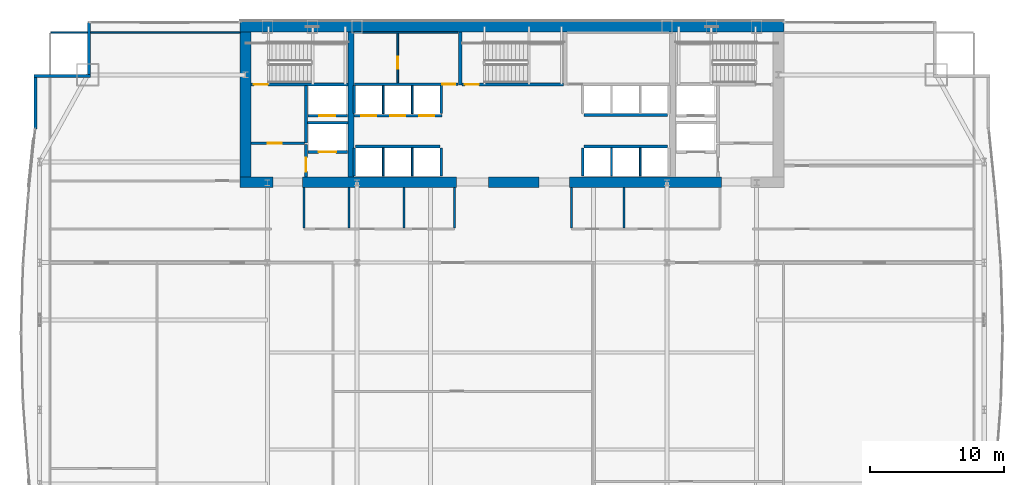
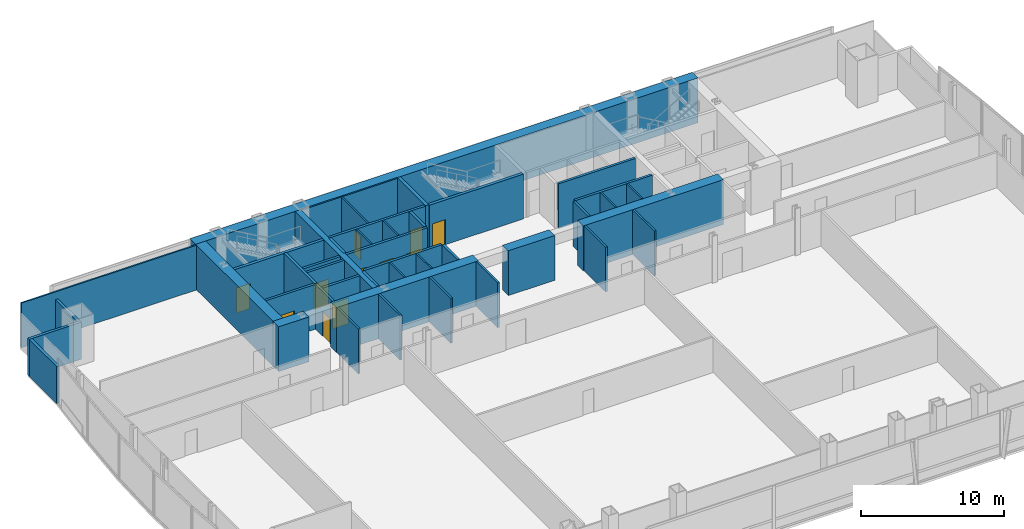
# One storey, part 30 of 33: 44 walls, 11 doors, 11 openings.
"""IFC4 building model written with IfcOpenShell, lengths in metres."""

from ifc_helpers import new_model, si_unit, direction, frame, frame_2d, origin, place, context, subcontext, project, spatial, rectangle, extrude, material, layer, layer_set, type_object, element, fill, save


model = new_model("IFC4")

# Units and contexts
model_context = context("Model", 3, precision=1e-05, world=origin(), true_north=direction((0.0, 1.0)))
body_context = subcontext(model_context, "Body", "Model", "MODEL_VIEW")
ifc_project = project(units=[si_unit("LENGTHUNIT", "METRE"), si_unit("AREAUNIT", "SQUARE_METRE"), si_unit("VOLUMEUNIT", "CUBIC_METRE"), si_unit("PLANEANGLEUNIT", "RADIAN"), si_unit("MASSUNIT", "GRAM", prefix="KILO")], contexts=[model_context])

# Site, building, storey
site_placement = place(None, origin())
site = spatial("IfcSite", under=ifc_project, at=site_placement, CompositionType="ELEMENT")
building_placement = place(site_placement, origin())
building = spatial("IfcBuilding", under=site, at=building_placement, Name="Khoronbel Lancet Exchange", CompositionType="ELEMENT")
storey_placement = place(building_placement, frame((0.0, 0.0, 33.800048828125)))
storey = spatial("IfcBuildingStorey", under=building, at=storey_placement, Name="L07", CompositionType="ELEMENT", Elevation=33.800048828125)

# Walls
ifc_material_1 = material(Name="Concrete C80/95", Category="concrete")
ifc_layer_1 = layer(ifc_material_1, 0.800048828125, Name="Concrete C80/95")
ifc_layer_set_1 = layer_set([ifc_layer_1], Name="Concrete C80/95")
wall_type_1 = type_object("IfcWallType", Name="WL-CW1", PredefinedType="SHEAR", material=ifc_layer_set_1)
wall_1_placement = place(storey_placement, frame((16.199951171875, 53.300048828125, 0.0), z_axis=(0.0, 0.0, 1.0), x_axis=(1.0, 0.0, 0.0)))
element("IfcWall", 1, at=wall_1_placement, inside=storey, type_object=wall_type_1, Name="Level L07 rear core north shear wall", PredefinedType="SHEAR", context=body_context, shape_type="SweptSolid", body=[
    extrude(rectangle(XDim=40.5, YDim=0.800048828125, at=frame_2d((20.25, 0.0))), origin(), (0.0, 0.0, 1.0), 3.820068359375),
])
wall_2_placement = place(storey_placement, frame((16.60009765625, 42.10009765625, 0.0), z_axis=(0.0, 0.0, 1.0), x_axis=(0.0, 1.0, 0.0)))
element("IfcWall", 2, at=wall_2_placement, inside=storey, type_object=wall_type_1, Name="Level L07 rear core west shear wall", PredefinedType="SHEAR", context=body_context, shape_type="SweptSolid", body=[
    extrude(rectangle(XDim=10.7998046875, YDim=0.800048828125, at=frame_2d((5.39990234375, 0.0))), origin(), (0.0, 0.0, 1.0), 3.820068359375),
])
wall_3_placement = place(storey_placement, frame((18.64990234375, 41.699951171875, 0.0), z_axis=(0.0, 0.0, 1.0), x_axis=(-1.0, 0.0, 0.0)))
element("IfcWall", 3, at=wall_3_placement, inside=storey, type_object=wall_type_1, Name="Level L07 rear core south shear wall pier P1", PredefinedType="SHEAR", context=body_context, shape_type="SweptSolid", body=[
    extrude(rectangle(XDim=2.449951171875, YDim=0.800048828125, at=frame_2d((1.22509765625, 0.0))), origin(), (0.0, 0.0, 1.0), 3.820068359375),
])
wall_4_placement = place(storey_placement, frame((32.300048828125, 41.699951171875, 0.0), z_axis=(0.0, 0.0, 1.0), x_axis=(-1.0, 0.0, 0.0)))
element("IfcWall", 4, at=wall_4_placement, inside=storey, type_object=wall_type_1, Name="Level L07 rear core south shear wall pier P2", PredefinedType="SHEAR", context=body_context, shape_type="SweptSolid", body=[
    extrude(rectangle(XDim=11.449951171875, YDim=0.800048828125, at=frame_2d((5.72509765625, 0.0))), origin(), (0.0, 0.0, 1.0), 3.820068359375),
])
wall_5_placement = place(storey_placement, frame((38.449951171875, 41.699951171875, 0.0), z_axis=(0.0, 0.0, 1.0), x_axis=(-1.0, 0.0, 0.0)))
element("IfcWall", 5, at=wall_5_placement, inside=storey, type_object=wall_type_1, Name="Level L07 rear core south shear wall pier P3", PredefinedType="SHEAR", context=body_context, shape_type="SweptSolid", body=[
    extrude(rectangle(XDim=3.75, YDim=0.800048828125, at=frame_2d((1.875, 0.0))), origin(), (0.0, 0.0, 1.0), 3.820068359375),
])
wall_6_placement = place(storey_placement, frame((52.050048828125, 41.699951171875, 0.0), z_axis=(0.0, 0.0, 1.0), x_axis=(-1.0, 0.0, 0.0)))
element("IfcWall", 6, at=wall_6_placement, inside=storey, type_object=wall_type_1, Name="Level L07 rear core south shear wall pier P4", PredefinedType="SHEAR", context=body_context, shape_type="SweptSolid", body=[
    extrude(rectangle(XDim=11.300048828125, YDim=0.800048828125, at=frame_2d((5.64990234375, 0.0))), origin(), (0.0, 0.0, 1.0), 3.820068359375),
])
ifc_material_2 = material(Name="Precast concrete C40/50", Category="concrete")
ifc_layer_2 = layer(ifc_material_2, 0.25, Name="Precast concrete C40/50")
ifc_layer_set_2 = layer_set([ifc_layer_2], Name="Precast concrete C40/50")
wall_type_2 = type_object("IfcWallType", Name="WL-EXT250", PredefinedType="SOLIDWALL", material=ifc_layer_set_2)
wall_7_placement = place(storey_placement, frame((0.93994140625, 45.67529296875, 0.0), z_axis=(0.0, 0.0, 1.0), x_axis=(0.0, 1.0, 0.0)))
element("IfcWall", 7, at=wall_7_placement, inside=storey, type_object=wall_type_2, Name="Level L07 notched-corner limestone pier 10", PredefinedType="SOLIDWALL", context=body_context, shape_type="SweptSolid", body=[
    extrude(rectangle(XDim=3.82470703125, YDim=0.219970703125, at=frame_2d((1.912353515625, 0.0))), origin(), (0.0, 0.0, 1.0), 3.159912109375),
])
wall_8_placement = place(storey_placement, frame((0.830078125, 49.610107421875, 0.0), z_axis=(0.0, 0.0, 1.0), x_axis=(1.0, 0.0, 0.0)))
element("IfcWall", 8, at=wall_8_placement, inside=storey, type_object=wall_type_2, Name="Level L07 notched-corner limestone pier 11", PredefinedType="SOLIDWALL", context=body_context, shape_type="SweptSolid", body=[
    extrude(rectangle(XDim=4.219970703125, YDim=0.219970703125, at=frame_2d((2.10986328125, 0.0))), origin(), (0.0, 0.0, 1.0), 3.159912109375),
])
wall_9_placement = place(storey_placement, frame((4.93994140625, 49.719970703125, 0.0), z_axis=(0.0, 0.0, 1.0), x_axis=(0.0, 1.0, 0.0)))
element("IfcWall", 9, at=wall_9_placement, inside=storey, type_object=wall_type_2, Name="Level L07 notched-corner limestone pier 12", PredefinedType="SOLIDWALL", context=body_context, shape_type="SweptSolid", body=[
    extrude(rectangle(XDim=3.909912109375, YDim=0.219970703125, at=frame_2d((1.955078125, 0.0))), origin(), (0.0, 0.0, 1.0), 3.159912109375),
])
ifc_material_3 = material(Name="Acoustic Metal-Stud & Mineral-Wool Gypsum Partition 120 mm", Category="gypsum")
ifc_layer_3 = layer(ifc_material_3, 0.1201171875, Name="Acoustic Metal-Stud & Mineral-Wool Gypsum Partition 120 mm")
ifc_layer_set_3 = layer_set([ifc_layer_3], Name="Acoustic Metal-Stud & Mineral-Wool Gypsum Partition 120 mm")
wall_type_3 = type_object("IfcWallType", Name="WL-PRT120", PredefinedType="PARTITIONING", material=ifc_layer_set_3)
for number, where, z_axis, x_axis, name in (
    (10, (20.949951171875, 38.280029296875, 0.0), (0.0, 0.0, 1.0), (0.0, 1.0, 0.0), "Level L07 interior partition PW-WC-0"),
    (11, (24.300048828125, 38.280029296875, 0.0), (0.0, 0.0, 1.0), (0.0, 1.0, 0.0), "Level L07 interior partition PW-WC-1"),
    (12, (28.39990234375, 38.280029296875, 0.0), (0.0, 0.0, 1.0), (0.0, 1.0, 0.0), "Level L07 interior partition PW-WC-2"),
    (13, (32.179931640625, 38.280029296875, 0.0), (0.0, 0.0, 1.0), (0.0, 1.0, 0.0), "Level L07 interior partition PW-WC-3"),
    (14, (40.8798828125, 38.280029296875, 0.0), (0.0, 0.0, 1.0), (0.0, 1.0, 0.0), "Level L07 interior partition PW-NP-0"),
    (15, (44.800048828125, 38.280029296875, 0.0), (0.0, 0.0, 1.0), (0.0, 1.0, 0.0), "Level L07 interior partition PW-NP-M"),
):
    element("IfcWall", number, at=place(storey_placement, frame(where, z_axis=z_axis, x_axis=x_axis)), inside=storey, type_object=wall_type_3, Name=name, PredefinedType="PARTITIONING", context=body_context, shape_type="SweptSolid", body=[
        extrude(rectangle(XDim=3.02001953125, YDim=0.14990234375, at=frame_2d((1.510009765625, 0.0))), origin(), (0.0, 0.0, 1.0), 3.820068359375),
    ])
wall_10_placement = place(storey_placement, frame((2.094970703125, 52.840087890625, 0.0), z_axis=(0.0, 0.0, 1.0), x_axis=(1.0, 0.0, 0.0)))
element("IfcWall", 16, at=wall_10_placement, inside=storey, type_object=wall_type_3, Name="Level L07 interior partition PW-LIN-NW", PredefinedType="PARTITIONING", context=body_context, shape_type="SweptSolid", body=[
    extrude(rectangle(XDim=14.10498046875, YDim=0.1201171875, at=frame_2d((7.052490234375, 0.0))), origin(), (0.0, 0.0, 1.0), 3.820068359375),
])
ifc_material_4 = material(Name="Fire-Rated Metal-Stud & Mineral-Wool Gypsum Partition 120 mm", Category="gypsum")
ifc_layer_4 = layer(ifc_material_4, 0.1201171875, Name="Fire-Rated Metal-Stud & Mineral-Wool Gypsum Partition 120 mm")
ifc_layer_set_4 = layer_set([ifc_layer_4], Name="Fire-Rated Metal-Stud & Mineral-Wool Gypsum Partition 120 mm")
wall_type_4 = type_object("IfcWallType", Name="WL-PRT120F", PredefinedType="PARTITIONING", material=ifc_layer_set_4)
for number, where, z_axis, x_axis, name in (
    (17, (26.860107421875, 46.800048828125, 0.0), (0.0, 0.0, 1.0), (0.0, 1.0, 0.0), "Level L07 interior partition CW-PL-D1"),
    (18, (29.02001953125, 46.800048828125, 0.0), (0.0, 0.0, 1.0), (0.0, 1.0, 0.0), "Level L07 interior partition CW-PL-D2"),
):
    element("IfcWall", number, at=place(storey_placement, frame(where, z_axis=z_axis, x_axis=x_axis)), inside=storey, type_object=wall_type_4, Name=name, PredefinedType="PARTITIONING", context=body_context, shape_type="SweptSolid", body=[
        extrude(rectangle(XDim=2.094970703125, YDim=0.1201171875, at=frame_2d((1.04736328125, 0.0))), origin(), (0.0, 0.0, 1.0), 3.820068359375),
    ])
for number, where, z_axis, x_axis, name in (
    (19, (26.860107421875, 42.14990234375, 0.0), (0.0, 0.0, 1.0), (0.0, 1.0, 0.0), "Level L07 interior partition CW-PM-D1"),
    (20, (29.02001953125, 42.14990234375, 0.0), (0.0, 0.0, 1.0), (0.0, 1.0, 0.0), "Level L07 interior partition CW-PM-D2"),
    (21, (43.860107421875, 42.14990234375, 0.0), (0.0, 0.0, 1.0), (0.0, 1.0, 0.0), "Level L07 interior partition CW-PX-D1"),
    (22, (46.0, 42.14990234375, 0.0), (0.0, 0.0, 1.0), (0.0, 1.0, 0.0), "Level L07 interior partition CW-PX-D2"),
):
    element("IfcWall", number, at=place(storey_placement, frame(where, z_axis=z_axis, x_axis=x_axis)), inside=storey, type_object=wall_type_4, Name=name, PredefinedType="PARTITIONING", context=body_context, shape_type="SweptSolid", body=[
        extrude(rectangle(XDim=2.09521484375, YDim=0.1201171875, at=frame_2d((1.047607421875, 0.0))), origin(), (0.0, 0.0, 1.0), 3.820068359375),
    ])
wall_11_placement = place(storey_placement, frame((24.699951171875, 52.860107421875, 0.0), z_axis=(0.0, 0.0, 1.0), x_axis=(1.0, 0.0, 0.0)))
element("IfcWall", 23, at=wall_11_placement, inside=storey, type_object=wall_type_4, Name="Level L07 interior partition CW-SUP-NW-N", PredefinedType="PARTITIONING", context=body_context, shape_type="SweptSolid", body=[
    extrude(rectangle(XDim=7.719970703125, YDim=0.1201171875, at=frame_2d((3.85986328125, 0.0))), origin(), (0.0, 0.0, 1.0), 3.820068359375),
])

# Wall, opening, door
wall_12_placement = place(storey_placement, frame((27.9423828125, 49.10498046875, 0.0), z_axis=(0.0, 0.0, 1.0), x_axis=(0.0, 1.0, 0.0)))
wall_12 = element("IfcWall", 24, at=wall_12_placement, inside=storey, type_object=wall_type_4, Name="Level L07 interior partition CW-SUP-NW-M", PredefinedType="PARTITIONING", context=body_context, shape_type="SweptSolid", body=[
    extrude(rectangle(XDim=3.68994140625, YDim=0.1201171875, at=frame_2d((1.844970703125, 0.0))), origin(), (0.0, 0.0, 1.0), 3.820068359375),
])
opening_1_placement = place(wall_12_placement, frame((1.050048828125, 0.0, 0.0)))
opening_1 = element("IfcOpeningElement", 25, at=opening_1_placement, cuts=wall_12, Name="Opening FD4", PredefinedType="OPENING", context=body_context, shape_type="SweptSolid", body=[
    extrude(rectangle(XDim=0.89990234375, YDim=2.050048828125, at=frame_2d((0.449951171875, 1.02490234375))), frame((0.0, 0.070068359375, 0.0), z_axis=(0.0, -1.0, 0.0), x_axis=(1.0, 0.0, 0.0)), (0.0, 0.0, 1.0), 0.14013671875),
])
ifc_material_5 = material(Name="Fire-Rated Steel Core Support Door Assembly", Category="steel")
door_type_1 = type_object("IfcDoorType", Name="DR-FD4", OperationType="NOTDEFINED", PredefinedType="DOOR", material=ifc_material_5)
door_1_placement = place(opening_1_placement, origin())
door_1 = element("IfcDoor", 26, at=door_1_placement, inside=storey, type_object=door_type_1, Name="Core NW inner support door L07-1", OperationType="SINGLE_SWING_LEFT", OverallHeight=2.050048828125, OverallWidth=0.89990234375, PredefinedType="DOOR", context=body_context, shape_type="SweptSolid", body=[
    extrude(rectangle(XDim=0.89990234375, YDim=2.050048828125, at=frame_2d((0.449951171875, 1.02490234375))), frame((0.0, 0.02490234375, 0.0), z_axis=(0.0, -1.0, 0.0), x_axis=(1.0, 0.0, 0.0)), (0.0, 0.0, 1.0), 0.050048828125),
])
fill(opening_1, door_1)

ifc_material_6 = material(Name="Autoclaved Aerated Concrete Blockwork 200 mm", Category="masonry")
ifc_layer_5 = layer(ifc_material_6, 0.199951171875, Name="Autoclaved Aerated Concrete Blockwork 200 mm")
ifc_layer_set_5 = layer_set([ifc_layer_5], Name="Autoclaved Aerated Concrete Blockwork 200 mm")
wall_type_5 = type_object("IfcWallType", Name="WL-PRT200", PredefinedType="PARTITIONING", material=ifc_layer_set_5)
wall_13_placement = place(storey_placement, frame((24.2099609375, 43.949951171875, 0.0), z_axis=(0.0, 0.0, 1.0), x_axis=(-1.0, 0.0, 0.0)))
wall_13 = element("IfcWall", 27, at=wall_13_placement, inside=storey, type_object=wall_type_5, Name="Level L07 elevator hoistway landing front wall SVLW", PredefinedType="PARTITIONING", context=body_context, shape_type="SweptSolid", body=[
    extrude(rectangle(XDim=2.969970703125, YDim=0.199951171875, at=frame_2d((1.48486328125, 0.0))), origin(), (0.0, 0.0, 1.0), 3.820068359375),
])
opening_2_placement = place(wall_13_placement, frame((0.860107421875, 0.0, 0.0)))
opening_2 = element("IfcOpeningElement", 28, at=opening_2_placement, cuts=wall_13, Name="Opening LD-SVL1", PredefinedType="OPENING", context=body_context, shape_type="SweptSolid", body=[
    extrude(rectangle(XDim=1.300048828125, YDim=2.179931640625, at=frame_2d((0.64990234375, 1.08984375))), frame((0.0, 0.10986328125, 0.0), z_axis=(0.0, -1.0, 0.0), x_axis=(1.0, 0.0, 0.0)), (0.0, 0.0, 1.0), 0.219970703125),
])
ifc_material_7 = material(Name="Heavy-Duty Bi-Parting Goods Lift Landing Door", Category="steel")
door_type_2 = type_object("IfcDoorType", Name="DR-LD-SVL", OperationType="NOTDEFINED", PredefinedType="DOOR", material=ifc_material_7)
door_2_placement = place(opening_2_placement, origin())
door_2 = element("IfcDoor", 29, at=door_2_placement, inside=storey, type_object=door_type_2, Name="Elevator landing sliding door LD-SVL1 L07", OperationType="SLIDING_TO_LEFT", OverallHeight=2.179931640625, OverallWidth=1.300048828125, PredefinedType="DOOR", context=body_context, shape_type="SweptSolid", body=[
    extrude(rectangle(XDim=1.300048828125, YDim=2.179931640625, at=frame_2d((0.64990234375, 1.08984375))), frame((0.0, 0.02490234375, 0.0), z_axis=(0.0, -1.0, 0.0), x_axis=(1.0, 0.0, 0.0)), (0.0, 0.0, 1.0), 0.050048828125),
])
fill(opening_2, door_2)

wall_14_placement = place(storey_placement, frame((24.2099609375, 46.64990234375, 0.0), z_axis=(0.0, 0.0, 1.0), x_axis=(-1.0, 0.0, 0.0)))
wall_14 = element("IfcWall", 30, at=wall_14_placement, inside=storey, type_object=wall_type_5, Name="Level L07 elevator hoistway landing front wall FFLW", PredefinedType="PARTITIONING", context=body_context, shape_type="SweptSolid", body=[
    extrude(rectangle(XDim=2.969970703125, YDim=0.199951171875, at=frame_2d((1.48486328125, 0.0))), origin(), (0.0, 0.0, 1.0), 3.820068359375),
])
opening_3_placement = place(wall_14_placement, frame((0.909912109375, 0.0, 0.0)))
opening_3 = element("IfcOpeningElement", 31, at=opening_3_placement, cuts=wall_14, Name="Opening LD-FFL1", PredefinedType="OPENING", context=body_context, shape_type="SweptSolid", body=[
    extrude(rectangle(XDim=1.199951171875, YDim=2.179931640625, at=frame_2d((0.60009765625, 1.08984375))), frame((0.0, 0.10986328125, 0.0), z_axis=(0.0, -1.0, 0.0), x_axis=(1.0, 0.0, 0.0)), (0.0, 0.0, 1.0), 0.219970703125),
])
ifc_material_8 = material(Name="Fire-Rated Stainless Bi-Parting Firefighting Lift Door", Category="steel")
door_type_3 = type_object("IfcDoorType", Name="DR-LD-FFL", OperationType="NOTDEFINED", PredefinedType="DOOR", material=ifc_material_8)
door_3_placement = place(opening_3_placement, origin())
door_3 = element("IfcDoor", 32, at=door_3_placement, inside=storey, type_object=door_type_3, Name="Elevator landing sliding door LD-FFL1 L07", OperationType="SLIDING_TO_LEFT", OverallHeight=2.179931640625, OverallWidth=1.199951171875, PredefinedType="DOOR", context=body_context, shape_type="SweptSolid", body=[
    extrude(rectangle(XDim=1.199951171875, YDim=2.179931640625, at=frame_2d((0.60009765625, 1.08984375))), frame((0.0, 0.02490234375, 0.0), z_axis=(0.0, -1.0, 0.0), x_axis=(1.0, 0.0, 0.0)), (0.0, 0.0, 1.0), 0.050048828125),
])
fill(opening_3, door_3)

# Wall, openings, doors
wall_15_placement = place(storey_placement, frame((31.219970703125, 46.64990234375, 0.0), z_axis=(0.0, 0.0, 1.0), x_axis=(-1.0, 0.0, 0.0)))
wall_15 = element("IfcWall", 33, at=wall_15_placement, inside=storey, type_object=wall_type_5, Name="Level L07 elevator hoistway landing front wall PLW", PredefinedType="PARTITIONING", context=body_context, shape_type="SweptSolid", body=[
    extrude(rectangle(XDim=6.530029296875, YDim=0.199951171875, at=frame_2d((3.26513671875, 0.0))), origin(), (0.0, 0.0, 1.0), 3.820068359375),
])
opening_4_placement = place(wall_15_placement, frame((4.89990234375, 0.0, 0.0)))
opening_4 = element("IfcOpeningElement", 34, at=opening_4_placement, cuts=wall_15, Name="Opening LD-PL1", PredefinedType="OPENING", context=body_context, shape_type="SweptSolid", body=[
    extrude(rectangle(XDim=1.10009765625, YDim=2.179931640625, at=frame_2d((0.550048828125, 1.08984375))), frame((0.0, 0.10986328125, 0.0), z_axis=(0.0, -1.0, 0.0), x_axis=(1.0, 0.0, 0.0)), (0.0, 0.0, 1.0), 0.219970703125),
])
opening_5_placement = place(wall_15_placement, frame((2.739990234375, 0.0, 0.0)))
opening_5 = element("IfcOpeningElement", 35, at=opening_5_placement, cuts=wall_15, Name="Opening LD-PL2", PredefinedType="OPENING", context=body_context, shape_type="SweptSolid", body=[
    extrude(rectangle(XDim=1.10009765625, YDim=2.179931640625, at=frame_2d((0.550048828125, 1.08984375))), frame((0.0, 0.10986328125, 0.0), z_axis=(0.0, -1.0, 0.0), x_axis=(1.0, 0.0, 0.0)), (0.0, 0.0, 1.0), 0.219970703125),
])
opening_6_placement = place(wall_15_placement, frame((0.580078125, 0.0, 0.0)))
opening_6 = element("IfcOpeningElement", 36, at=opening_6_placement, cuts=wall_15, Name="Opening LD-PL3", PredefinedType="OPENING", context=body_context, shape_type="SweptSolid", body=[
    extrude(rectangle(XDim=1.10009765625, YDim=2.179931640625, at=frame_2d((0.550048828125, 1.08984375))), frame((0.0, 0.10986328125, 0.0), z_axis=(0.0, -1.0, 0.0), x_axis=(1.0, 0.0, 0.0)), (0.0, 0.0, 1.0), 0.219970703125),
])
ifc_material_9 = material(Name="Brushed Bronze Bi-Parting Elevator Landing Door", Category="steel")
door_type_4 = type_object("IfcDoorType", Name="DR-LD-PAX", OperationType="NOTDEFINED", PredefinedType="DOOR", material=ifc_material_9)
door_4_placement = place(opening_4_placement, origin())
door_4 = element("IfcDoor", 37, at=door_4_placement, inside=storey, type_object=door_type_4, Name="Elevator landing sliding door LD-PL1 L07", OperationType="SLIDING_TO_LEFT", OverallHeight=2.179931640625, OverallWidth=1.10009765625, PredefinedType="DOOR", context=body_context, shape_type="SweptSolid", body=[
    extrude(rectangle(XDim=1.10009765625, YDim=2.179931640625, at=frame_2d((0.550048828125, 1.08984375))), frame((0.0, 0.02490234375, 0.0), z_axis=(0.0, -1.0, 0.0), x_axis=(1.0, 0.0, 0.0)), (0.0, 0.0, 1.0), 0.050048828125),
])
fill(opening_4, door_4)
door_5_placement = place(opening_5_placement, origin())
door_5 = element("IfcDoor", 38, at=door_5_placement, inside=storey, type_object=door_type_4, Name="Elevator landing sliding door LD-PL2 L07", OperationType="SLIDING_TO_LEFT", OverallHeight=2.179931640625, OverallWidth=1.10009765625, PredefinedType="DOOR", context=body_context, shape_type="SweptSolid", body=[
    extrude(rectangle(XDim=1.10009765625, YDim=2.179931640625, at=frame_2d((0.550048828125, 1.08984375))), frame((0.0, 0.02490234375, 0.0), z_axis=(0.0, -1.0, 0.0), x_axis=(1.0, 0.0, 0.0)), (0.0, 0.0, 1.0), 0.050048828125),
])
fill(opening_5, door_5)
door_6_placement = place(opening_6_placement, origin())
door_6 = element("IfcDoor", 39, at=door_6_placement, inside=storey, type_object=door_type_4, Name="Elevator landing sliding door LD-PL3 L07", OperationType="SLIDING_TO_LEFT", OverallHeight=2.179931640625, OverallWidth=1.10009765625, PredefinedType="DOOR", context=body_context, shape_type="SweptSolid", body=[
    extrude(rectangle(XDim=1.10009765625, YDim=2.179931640625, at=frame_2d((0.550048828125, 1.08984375))), frame((0.0, 0.02490234375, 0.0), z_axis=(0.0, -1.0, 0.0), x_axis=(1.0, 0.0, 0.0)), (0.0, 0.0, 1.0), 0.050048828125),
])
fill(opening_6, door_6)

# Wall
wall_16_placement = place(storey_placement, frame((21.10009765625, 44.60009765625, 0.0), z_axis=(0.0, 0.0, 1.0), x_axis=(0.0, 1.0, 0.0)))
element("IfcWall", 40, at=wall_16_placement, inside=storey, type_object=wall_type_5, Name="Level L07 interior partition CW-FFLW-E", PredefinedType="PARTITIONING", context=body_context, shape_type="SweptSolid", body=[
    extrude(rectangle(XDim=4.2998046875, YDim=0.199951171875, at=frame_2d((2.14990234375, 0.0))), origin(), (0.0, 0.0, 1.0), 3.820068359375),
])

# Wall, opening, door
wall_17_placement = place(storey_placement, frame((17.0, 44.60009765625, 0.0), z_axis=(0.0, 0.0, 1.0), x_axis=(1.0, 0.0, 0.0)))
wall_17 = element("IfcWall", 41, at=wall_17_placement, inside=storey, type_object=wall_type_5, Name="Level L07 interior partition CW-FFLW-S", PredefinedType="PARTITIONING", context=body_context, shape_type="SweptSolid", body=[
    extrude(rectangle(XDim=4.0, YDim=0.199951171875, at=frame_2d((2.0, 0.0))), origin(), (0.0, 0.0, 1.0), 3.820068359375),
])
opening_7_placement = place(wall_17_placement, frame((1.25, 0.0, 0.0)))
opening_7 = element("IfcOpeningElement", 42, at=opening_7_placement, cuts=wall_17, Name="Opening FD1", PredefinedType="OPENING", context=body_context, shape_type="SweptSolid", body=[
    extrude(rectangle(XDim=1.050048828125, YDim=2.14990234375, at=frame_2d((0.52490234375, 1.074951171875))), frame((0.0, 0.10986328125, 0.0), z_axis=(0.0, -1.0, 0.0), x_axis=(1.0, 0.0, 0.0)), (0.0, 0.0, 1.0), 0.219970703125),
])
ifc_material_10 = material(Name="Fire-Rated Painted Steel Door Assembly", Category="steel")
door_type_5 = type_object("IfcDoorType", Name="DR-FD1", OperationType="NOTDEFINED", PredefinedType="DOOR", material=ifc_material_10)
door_7_placement = place(opening_7_placement, origin())
door_7 = element("IfcDoor", 43, at=door_7_placement, inside=storey, type_object=door_type_5, Name="West firefighting lobby FD90S door L07-1", OperationType="SINGLE_SWING_RIGHT", OverallHeight=2.14990234375, OverallWidth=1.050048828125, PredefinedType="DOOR", context=body_context, shape_type="SweptSolid", body=[
    extrude(rectangle(XDim=1.050048828125, YDim=2.14990234375, at=frame_2d((0.52490234375, 1.074951171875))), frame((0.0, 0.02490234375, 0.0), z_axis=(0.0, -1.0, 0.0), x_axis=(1.0, 0.0, 0.0)), (0.0, 0.0, 1.0), 0.050048828125),
])
fill(opening_7, door_7)

# Wall
wall_18_placement = place(storey_placement, frame((21.199951171875, 46.1201171875, 0.0), z_axis=(0.0, 0.0, 1.0), x_axis=(1.0, 0.0, 0.0)))
element("IfcWall", 44, at=wall_18_placement, inside=storey, type_object=wall_type_5, Name="Level L07 interior partition CW-FFL1-S", PredefinedType="PARTITIONING", context=body_context, shape_type="SweptSolid", body=[
    extrude(rectangle(XDim=3.02001953125, YDim=0.199951171875, at=frame_2d((1.510009765625, 0.0))), origin(), (0.0, 0.0, 1.0), 3.820068359375),
])

# Wall, opening, door
wall_19_placement = place(storey_placement, frame((21.10009765625, 42.10009765625, 0.0), z_axis=(0.0, 0.0, 1.0), x_axis=(0.0, 1.0, 0.0)))
wall_19 = element("IfcWall", 45, at=wall_19_placement, inside=storey, type_object=wall_type_5, Name="Level L07 interior partition CW-SVLW-W", PredefinedType="PARTITIONING", context=body_context, shape_type="SweptSolid", body=[
    extrude(rectangle(XDim=2.39501953125, YDim=0.199951171875, at=frame_2d((1.197509765625, 0.0))), origin(), (0.0, 0.0, 1.0), 3.820068359375),
])
opening_8_placement = place(wall_19_placement, frame((0.3798828125, 0.0, 0.0)))
opening_8 = element("IfcOpeningElement", 46, at=opening_8_placement, cuts=wall_19, Name="Opening FD1", PredefinedType="OPENING", context=body_context, shape_type="SweptSolid", body=[
    extrude(rectangle(XDim=1.050048828125, YDim=2.14990234375, at=frame_2d((0.52490234375, 1.074951171875))), frame((0.0, 0.10986328125, 0.0), z_axis=(0.0, -1.0, 0.0), x_axis=(1.0, 0.0, 0.0)), (0.0, 0.0, 1.0), 0.219970703125),
])
door_8_placement = place(opening_8_placement, origin())
door_8 = element("IfcDoor", 47, at=door_8_placement, inside=storey, type_object=door_type_5, Name="West service lift lobby door L07-1", OperationType="SINGLE_SWING_LEFT", OverallHeight=2.14990234375, OverallWidth=1.050048828125, PredefinedType="DOOR", context=body_context, shape_type="SweptSolid", body=[
    extrude(rectangle(XDim=1.050048828125, YDim=2.14990234375, at=frame_2d((0.52490234375, 1.074951171875))), frame((0.0, 0.02490234375, 0.0), z_axis=(0.0, -1.0, 0.0), x_axis=(1.0, 0.0, 0.0)), (0.0, 0.0, 1.0), 0.050048828125),
])
fill(opening_8, door_8)

# Walls
for number, where, z_axis, x_axis, name in (
    (48, (24.699951171875, 46.800048828125, 0.0), (0.0, 0.0, 1.0), (0.0, 1.0, 0.0), "Level L07 interior partition CW-PL-W"),
    (49, (31.179931640625, 46.800048828125, 0.0), (0.0, 0.0, 1.0), (0.0, 1.0, 0.0), "Level L07 interior partition CW-PL-E"),
):
    element("IfcWall", number, at=place(storey_placement, frame(where, z_axis=z_axis, x_axis=x_axis)), inside=storey, type_object=wall_type_5, Name=name, PredefinedType="PARTITIONING", context=body_context, shape_type="SweptSolid", body=[
        extrude(rectangle(XDim=2.094970703125, YDim=0.199951171875, at=frame_2d((1.04736328125, 0.0))), origin(), (0.0, 0.0, 1.0), 3.820068359375),
    ])
wall_20_placement = place(storey_placement, frame((24.804931640625, 44.35009765625, 0.0), z_axis=(0.0, 0.0, 1.0), x_axis=(1.0, 0.0, 0.0)))
element("IfcWall", 50, at=wall_20_placement, inside=storey, type_object=wall_type_5, Name="Level L07 interior partition CW-PM-EXP", PredefinedType="PARTITIONING", context=body_context, shape_type="SweptSolid", body=[
    extrude(rectangle(XDim=6.27001953125, YDim=0.199951171875, at=frame_2d((3.135009765625, 0.0))), origin(), (0.0, 0.0, 1.0), 3.820068359375),
])
for number, where, z_axis, x_axis, name in (
    (51, (24.699951171875, 42.14990234375, 0.0), (0.0, 0.0, 1.0), (0.0, 1.0, 0.0), "Level L07 interior partition CW-PM-W"),
    (52, (31.179931640625, 42.14990234375, 0.0), (0.0, 0.0, 1.0), (0.0, 1.0, 0.0), "Level L07 interior partition CW-PM-E"),
):
    element("IfcWall", number, at=place(storey_placement, frame(where, z_axis=z_axis, x_axis=x_axis)), inside=storey, type_object=wall_type_5, Name=name, PredefinedType="PARTITIONING", context=body_context, shape_type="SweptSolid", body=[
        extrude(rectangle(XDim=2.09521484375, YDim=0.199951171875, at=frame_2d((1.047607421875, 0.0))), origin(), (0.0, 0.0, 1.0), 3.820068359375),
    ])
for number, where, z_axis, x_axis, name in (
    (53, (41.824951171875, 46.699951171875, 0.0), (0.0, 0.0, 1.0), (1.0, 0.0, 0.0), "Level L07 interior partition CW-PH-EXP"),
    (54, (41.824951171875, 44.35009765625, 0.0), (0.0, 0.0, 1.0), (1.0, 0.0, 0.0), "Level L07 interior partition CW-PX-EXP"),
):
    element("IfcWall", number, at=place(storey_placement, frame(where, z_axis=z_axis, x_axis=x_axis)), inside=storey, type_object=wall_type_5, Name=name, PredefinedType="PARTITIONING", context=body_context, shape_type="SweptSolid", body=[
        extrude(rectangle(XDim=6.2099609375, YDim=0.199951171875, at=frame_2d((3.10498046875, 0.0))), origin(), (0.0, 0.0, 1.0), 3.820068359375),
    ])
wall_21_placement = place(storey_placement, frame((41.719970703125, 42.14990234375, 0.0), z_axis=(0.0, 0.0, 1.0), x_axis=(0.0, 1.0, 0.0)))
element("IfcWall", 55, at=wall_21_placement, inside=storey, type_object=wall_type_5, Name="Level L07 interior partition CW-PX-W", PredefinedType="PARTITIONING", context=body_context, shape_type="SweptSolid", body=[
    extrude(rectangle(XDim=2.09521484375, YDim=0.199951171875, at=frame_2d((1.047607421875, 0.0))), origin(), (0.0, 0.0, 1.0), 3.820068359375),
])

# Wall, opening, door
wall_22_placement = place(storey_placement, frame((24.699951171875, 49.0, 0.0), z_axis=(0.0, 0.0, 1.0), x_axis=(1.0, 0.0, 0.0)))
wall_22 = element("IfcWall", 56, at=wall_22_placement, inside=storey, type_object=wall_type_5, Name="Level L07 interior partition CW-SUP-NW-S", PredefinedType="PARTITIONING", context=body_context, shape_type="SweptSolid", body=[
    extrude(rectangle(XDim=7.719970703125, YDim=0.199951171875, at=frame_2d((3.85986328125, 0.0))), origin(), (0.0, 0.0, 1.0), 3.820068359375),
])
opening_9_placement = place(wall_22_placement, frame((6.56005859375, 0.0, 0.0)))
opening_9 = element("IfcOpeningElement", 57, at=opening_9_placement, cuts=wall_22, Name="Opening FD3", PredefinedType="OPENING", context=body_context, shape_type="SweptSolid", body=[
    extrude(rectangle(XDim=0.949951171875, YDim=2.10009765625, at=frame_2d((0.47509765625, 1.050048828125))), frame((0.0, 0.10986328125, 0.0), z_axis=(0.0, -1.0, 0.0), x_axis=(1.0, 0.0, 0.0)), (0.0, 0.0, 1.0), 0.219970703125),
])
ifc_material_11 = material(Name="Fire-Rated Steel Plant & Riser Door Assembly", Category="steel")
door_type_6 = type_object("IfcDoorType", Name="DR-FD3", OperationType="NOTDEFINED", PredefinedType="DOOR", material=ifc_material_11)
door_9_placement = place(opening_9_placement, origin())
door_9 = element("IfcDoor", 58, at=door_9_placement, inside=storey, type_object=door_type_6, Name="Core NW support room door L07-1", OperationType="SINGLE_SWING_RIGHT", OverallHeight=2.10009765625, OverallWidth=0.949951171875, PredefinedType="DOOR", context=body_context, shape_type="SweptSolid", body=[
    extrude(rectangle(XDim=0.949951171875, YDim=2.10009765625, at=frame_2d((0.47509765625, 1.050048828125))), frame((0.0, 0.02490234375, 0.0), z_axis=(0.0, -1.0, 0.0), x_axis=(1.0, 0.0, 0.0)), (0.0, 0.0, 1.0), 0.050048828125),
])
fill(opening_9, door_9)

# Walls
ifc_layer_6 = layer(ifc_material_1, 0.449951171875, Name="Concrete C80/95")
ifc_layer_set_6 = layer_set([ifc_layer_6], Name="Concrete C80/95")
wall_type_6 = type_object("IfcWallType", Name="WL-SW1", PredefinedType="SHEAR", material=ifc_layer_set_6)
wall_23_placement = place(storey_placement, frame((24.449951171875, 42.10009765625, 0.0), z_axis=(0.0, 0.0, 1.0), x_axis=(0.0, 1.0, 0.0)))
element("IfcWall", 59, at=wall_23_placement, inside=storey, type_object=wall_type_6, Name="Level L07 rear core internal spine shear wall IW", PredefinedType="SHEAR", context=body_context, shape_type="SweptSolid", body=[
    extrude(rectangle(XDim=10.7998046875, YDim=0.449951171875, at=frame_2d((5.39990234375, 0.0))), origin(), (0.0, 0.0, 1.0), 3.820068359375),
])
ifc_material_12 = material(Name="Concrete C60/75", Category="concrete")
ifc_layer_7 = layer(ifc_material_12, 0.260009765625, Name="Concrete C60/75")
ifc_layer_set_7 = layer_set([ifc_layer_7], Name="Concrete C60/75")
wall_type_7 = type_object("IfcWallType", Name="WL-SW3", PredefinedType="SHEAR", material=ifc_layer_set_7)
wall_24_placement = place(storey_placement, frame((32.580078125, 48.949951171875, 0.0), z_axis=(0.0, 0.0, 1.0), x_axis=(0.0, 1.0, 0.0)))
element("IfcWall", 60, at=wall_24_placement, inside=storey, type_object=wall_type_7, Name="Level L07 central stairwell structural shear wall ST3W", PredefinedType="SHEAR", context=body_context, shape_type="SweptSolid", body=[
    extrude(rectangle(XDim=3.949951171875, YDim=0.260009765625, at=frame_2d((1.97509765625, 0.0))), origin(), (0.0, 0.0, 1.0), 3.820068359375),
])

# Wall, opening, door
wall_25_placement = place(storey_placement, frame((17.0, 48.97998046875, 0.0), z_axis=(0.0, 0.0, 1.0), x_axis=(1.0, 0.0, 0.0)))
wall_25 = element("IfcWall", 61, at=wall_25_placement, inside=storey, type_object=wall_type_7, Name="Level L07 west stairwell structural south wall", PredefinedType="SHEAR", context=body_context, shape_type="SweptSolid", body=[
    extrude(rectangle(XDim=7.219970703125, YDim=0.239990234375, at=frame_2d((3.60986328125, 0.0))), origin(), (0.0, 0.0, 1.0), 3.820068359375),
])
opening_10_placement = place(wall_25_placement, frame((0.219970703125, 0.0, 0.0)))
opening_10 = element("IfcOpeningElement", 62, at=opening_10_placement, cuts=wall_25, Name="Opening SD1", PredefinedType="OPENING", context=body_context, shape_type="SweptSolid", body=[
    extrude(rectangle(XDim=1.050048828125, YDim=2.14990234375, at=frame_2d((0.52490234375, 1.074951171875))), frame((0.0, 0.1298828125, 0.0), z_axis=(0.0, -1.0, 0.0), x_axis=(1.0, 0.0, 0.0)), (0.0, 0.0, 1.0), 0.260009765625),
])
ifc_material_13 = material(Name="Fire-Rated Steel Stairwell Door Assembly", Category="steel")
door_type_7 = type_object("IfcDoorType", Name="DR-SD1", OperationType="NOTDEFINED", PredefinedType="DOOR", material=ifc_material_13)
door_10_placement = place(opening_10_placement, origin())
door_10 = element("IfcDoor", 63, at=door_10_placement, inside=storey, type_object=door_type_7, Name="Protected exit stair ST1 door L07", OperationType="SINGLE_SWING_LEFT", OverallHeight=2.14990234375, OverallWidth=1.050048828125, PredefinedType="DOOR", context=body_context, shape_type="SweptSolid", body=[
    extrude(rectangle(XDim=1.050048828125, YDim=2.14990234375, at=frame_2d((0.52490234375, 1.074951171875))), frame((0.0, 0.02490234375, 0.0), z_axis=(0.0, -1.0, 0.0), x_axis=(1.0, 0.0, 0.0)), (0.0, 0.0, 1.0), 0.050048828125),
])
fill(opening_10, door_10)

wall_26_placement = place(storey_placement, frame((32.719970703125, 48.97998046875, 0.0), z_axis=(0.0, 0.0, 1.0), x_axis=(1.0, 0.0, 0.0)))
wall_26 = element("IfcWall", 64, at=wall_26_placement, inside=storey, type_object=wall_type_7, Name="Level L07 central stairwell structural south wall", PredefinedType="SHEAR", context=body_context, shape_type="SweptSolid", body=[
    extrude(rectangle(XDim=7.56005859375, YDim=0.239990234375, at=frame_2d((3.780029296875, 0.0))), origin(), (0.0, 0.0, 1.0), 3.820068359375),
])
opening_11_placement = place(wall_26_placement, frame((0.219970703125, 0.0, 0.0)))
opening_11 = element("IfcOpeningElement", 65, at=opening_11_placement, cuts=wall_26, Name="Opening SD1", PredefinedType="OPENING", context=body_context, shape_type="SweptSolid", body=[
    extrude(rectangle(XDim=1.050048828125, YDim=2.14990234375, at=frame_2d((0.52490234375, 1.074951171875))), frame((0.0, 0.1298828125, 0.0), z_axis=(0.0, -1.0, 0.0), x_axis=(1.0, 0.0, 0.0)), (0.0, 0.0, 1.0), 0.260009765625),
])
door_11_placement = place(opening_11_placement, origin())
door_11 = element("IfcDoor", 66, at=door_11_placement, inside=storey, type_object=door_type_7, Name="Protected exit stair ST3 door L07", OperationType="SINGLE_SWING_LEFT", OverallHeight=2.14990234375, OverallWidth=1.050048828125, PredefinedType="DOOR", context=body_context, shape_type="SweptSolid", body=[
    extrude(rectangle(XDim=1.050048828125, YDim=2.14990234375, at=frame_2d((0.52490234375, 1.074951171875))), frame((0.0, 0.02490234375, 0.0), z_axis=(0.0, -1.0, 0.0), x_axis=(1.0, 0.0, 0.0)), (0.0, 0.0, 1.0), 0.050048828125),
])
fill(opening_11, door_11)

save(model, "model.ifc")
